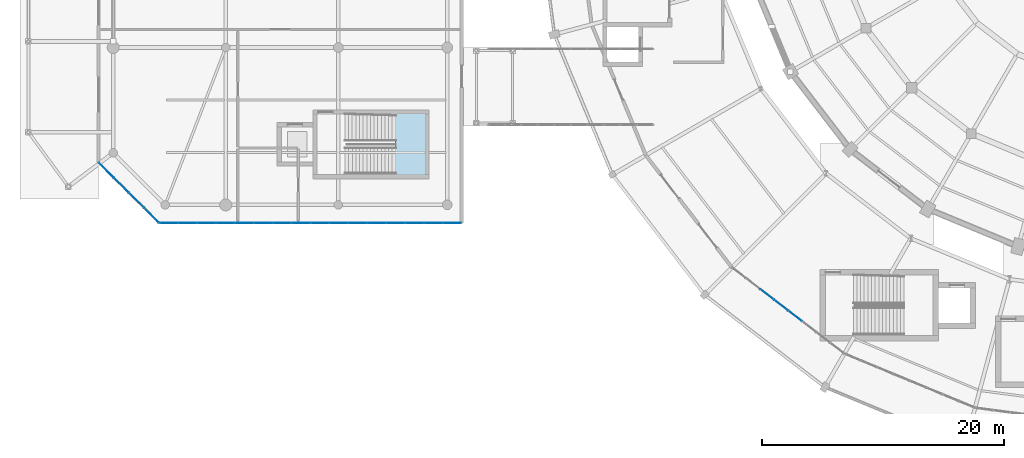
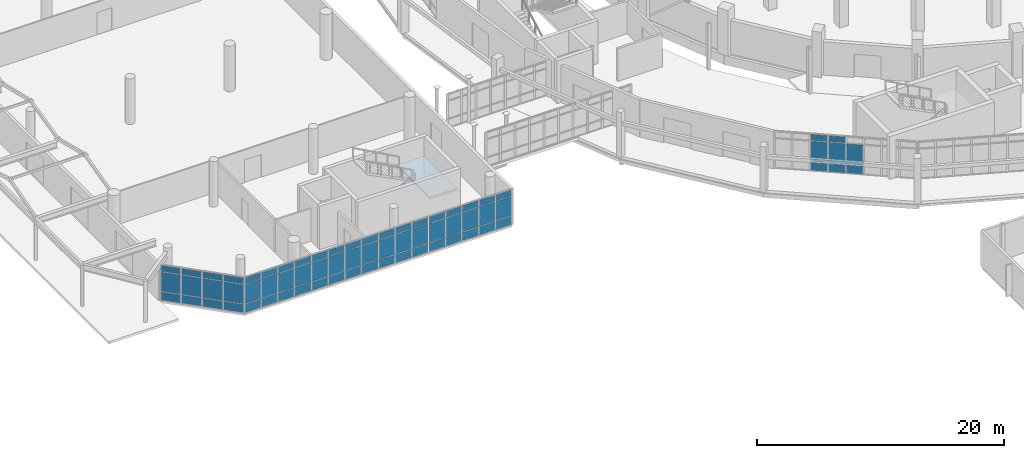
# One storey, part 78 of 122: 68 plates, 1 slab, 4 elements without a shape of their own.
"""IFC4 building model written with IfcOpenShell, lengths in metres."""

from ifc_helpers import new_model, si_unit, direction, frame, origin, origin_2d, place, context, subcontext, project, spatial, polyline, rectangle, outline, extrude, material, layer, layer_set, type_object, element, aggregate, save


model = new_model("IFC4")

# Units and contexts
model_context = context("Model", 3, precision=1e-05, world=origin(), true_north=direction((0.0, 1.0)))
body_context = subcontext(model_context, "Body", "Model", "MODEL_VIEW")
ifc_project = project(units=[si_unit("LENGTHUNIT", "METRE"), si_unit("AREAUNIT", "SQUARE_METRE"), si_unit("VOLUMEUNIT", "CUBIC_METRE"), si_unit("PLANEANGLEUNIT", "RADIAN"), si_unit("MASSUNIT", "GRAM", prefix="KILO")], contexts=[model_context])

# Site, building, storey
site_placement = place(None, origin())
site = spatial("IfcSite", under=ifc_project, at=site_placement, CompositionType="ELEMENT")
building_placement = place(site_placement, origin())
building = spatial("IfcBuilding", under=site, at=building_placement, Name="Sohan Crest Arena", CompositionType="ELEMENT")
storey_placement = place(building_placement, origin())
storey = spatial("IfcBuildingStorey", under=building, at=storey_placement, Name="L00", CompositionType="ELEMENT", Elevation=0.0)

# Curtain wall, plates
ifc_material_1 = material(Name="Thermally broken anodised aluminium", Category="aluminium")
ifc_layer_1 = layer(ifc_material_1, 0.179931640625, Name="Thermally broken anodised aluminium")
ifc_layer_set_1 = layer_set([ifc_layer_1], Name="Thermally broken anodised aluminium")
curtain_wall_type_1 = type_object("IfcCurtainWallType", Name="ARC-CW01", PredefinedType="NOTDEFINED", material=ifc_layer_set_1)
curtain_wall_1_placement = place(storey_placement, origin())
curtain_wall_1 = element("IfcCurtainWall", 1, at=curtain_wall_1_placement, inside=storey, type_object=curtain_wall_type_1, Name="Unitised curtain wall CW-005", PredefinedType="NOTDEFINED")
ifc_material_2 = material(Name="Low-E double-glazed insulated glass", Category="glass")
ifc_layer_2 = layer(ifc_material_2, 0.028076171875, Name="Low-E double-glazed insulated glass")
ifc_layer_set_2 = layer_set([ifc_layer_2], Name="Low-E double-glazed insulated glass")
plate_type = type_object("IfcPlateType", Name="ARC-CNP01", PredefinedType="CURTAIN_PANEL", material=ifc_layer_set_2)
plate_1_placement = place(storey_placement, frame((69.221435546875, 44.096923828125, 0.06005859375), z_axis=(0.0, 0.0, 1.0), x_axis=(0.79332277167, -0.608801264741, 0.0)))
plate_1 = element("IfcPlate", 2, at=plate_1_placement, type_object=plate_type, Name="CW-005 panel 3.1", PredefinedType="CURTAIN_PANEL", context=body_context, shape_type="SweptSolid", body=[
    extrude(rectangle(XDim=1.40185546875, YDim=0.028076171875, at=origin_2d()), origin(), (0.0, 0.0, 1.0), 0.81005859375),
])
plate_2_placement = place(storey_placement, frame((69.221435546875, 44.096923828125, 0.929931640625), z_axis=(0.0, 0.0, 1.0), x_axis=(0.79332277167, -0.608801264741, 0.0)))
plate_2 = element("IfcPlate", 3, at=plate_2_placement, type_object=plate_type, Name="CW-005 panel 3.2", PredefinedType="CURTAIN_PANEL", context=body_context, shape_type="SweptSolid", body=[
    extrude(rectangle(XDim=1.40185546875, YDim=0.028076171875, at=origin_2d()), origin(), (0.0, 0.0, 1.0), 2.02001953125),
])
plate_3_placement = place(storey_placement, frame((69.221435546875, 44.096923828125, 3.009765625), z_axis=(0.0, 0.0, 1.0), x_axis=(0.79332277167, -0.608801264741, 0.0)))
plate_3 = element("IfcPlate", 4, at=plate_3_placement, type_object=plate_type, Name="CW-005 panel 3.3", PredefinedType="CURTAIN_PANEL", context=body_context, shape_type="SweptSolid", body=[
    extrude(rectangle(XDim=1.40185546875, YDim=0.028076171875, at=origin_2d()), origin(), (0.0, 0.0, 1.0), 0.610107421875),
])
plate_4_placement = place(storey_placement, frame((70.381103515625, 43.20703125, 0.06005859375), z_axis=(0.0, 0.0, 1.0), x_axis=(0.79332277167, -0.608801264741, 0.0)))
plate_4 = element("IfcPlate", 5, at=plate_4_placement, type_object=plate_type, Name="CW-005 panel 4.1", PredefinedType="CURTAIN_PANEL", context=body_context, shape_type="SweptSolid", body=[
    extrude(rectangle(XDim=1.40185546875, YDim=0.028076171875, at=origin_2d()), origin(), (0.0, 0.0, 1.0), 0.81005859375),
])
plate_5_placement = place(storey_placement, frame((70.381103515625, 43.20703125, 0.929931640625), z_axis=(0.0, 0.0, 1.0), x_axis=(0.79332277167, -0.608801264741, 0.0)))
plate_5 = element("IfcPlate", 6, at=plate_5_placement, type_object=plate_type, Name="CW-005 panel 4.2", PredefinedType="CURTAIN_PANEL", context=body_context, shape_type="SweptSolid", body=[
    extrude(rectangle(XDim=1.40185546875, YDim=0.028076171875, at=origin_2d()), origin(), (0.0, 0.0, 1.0), 2.02001953125),
])
plate_6_placement = place(storey_placement, frame((70.381103515625, 43.20703125, 3.009765625), z_axis=(0.0, 0.0, 1.0), x_axis=(0.79332277167, -0.608801264741, 0.0)))
plate_6 = element("IfcPlate", 7, at=plate_6_placement, type_object=plate_type, Name="CW-005 panel 4.3", PredefinedType="CURTAIN_PANEL", context=body_context, shape_type="SweptSolid", body=[
    extrude(rectangle(XDim=1.40185546875, YDim=0.028076171875, at=origin_2d()), origin(), (0.0, 0.0, 1.0), 0.610107421875),
])
plate_7_placement = place(storey_placement, frame((71.540771484375, 42.31689453125, 0.06005859375), z_axis=(0.0, 0.0, 1.0), x_axis=(0.79332277167, -0.608801264741, 0.0)))
plate_7 = element("IfcPlate", 8, at=plate_7_placement, type_object=plate_type, Name="CW-005 panel 5.1", PredefinedType="CURTAIN_PANEL", context=body_context, shape_type="SweptSolid", body=[
    extrude(rectangle(XDim=1.40185546875, YDim=0.028076171875, at=origin_2d()), origin(), (0.0, 0.0, 1.0), 0.81005859375),
])
plate_8_placement = place(storey_placement, frame((71.540771484375, 42.31689453125, 0.929931640625), z_axis=(0.0, 0.0, 1.0), x_axis=(0.79332277167, -0.608801264741, 0.0)))
plate_8 = element("IfcPlate", 9, at=plate_8_placement, type_object=plate_type, Name="CW-005 panel 5.2", PredefinedType="CURTAIN_PANEL", context=body_context, shape_type="SweptSolid", body=[
    extrude(rectangle(XDim=1.40185546875, YDim=0.028076171875, at=origin_2d()), origin(), (0.0, 0.0, 1.0), 2.02001953125),
])
aggregate(curtain_wall_1, [plate_1, plate_2, plate_3, plate_4, plate_5, plate_6, plate_7, plate_8])

ifc_layer_3 = layer(ifc_material_1, 0.199951171875, Name="Thermally broken anodised aluminium")
ifc_layer_set_3 = layer_set([ifc_layer_3], Name="Thermally broken anodised aluminium")
curtain_wall_type_2 = type_object("IfcCurtainWallType", Name="ARC-CW02", PredefinedType="NOTDEFINED", material=ifc_layer_set_3)
curtain_wall_2_placement = place(storey_placement, origin())
curtain_wall_2 = element("IfcCurtainWall", 10, at=curtain_wall_2_placement, inside=storey, type_object=curtain_wall_type_2, Name="Unitised curtain wall CW-202", PredefinedType="NOTDEFINED")
plate_9_placement = place(storey_placement, frame((19.797607421875, 50.0, 0.06005859375), z_axis=(0.0, 0.0, 1.0), x_axis=(1.0, 0.0, 0.0)))
plate_9 = element("IfcPlate", 11, at=plate_9_placement, type_object=plate_type, Name="CW-202 panel 1.1", PredefinedType="CURTAIN_PANEL", context=body_context, shape_type="SweptSolid", body=[
    extrude(rectangle(XDim=1.465087890625, YDim=0.028076171875, at=origin_2d()), origin(), (0.0, 0.0, 1.0), 0.81005859375),
])
plate_10_placement = place(storey_placement, frame((19.797607421875, 50.0, 0.93017578125), z_axis=(0.0, 0.0, 1.0), x_axis=(1.0, 0.0, 0.0)))
plate_10 = element("IfcPlate", 12, at=plate_10_placement, type_object=plate_type, Name="CW-202 panel 1.2", PredefinedType="CURTAIN_PANEL", context=body_context, shape_type="SweptSolid", body=[
    extrude(rectangle(XDim=1.465087890625, YDim=0.028076171875, at=origin_2d()), origin(), (0.0, 0.0, 1.0), 1.889892578125),
])
plate_11_placement = place(storey_placement, frame((19.797607421875, 50.0, 2.8798828125), z_axis=(0.0, 0.0, 1.0), x_axis=(1.0, 0.0, 0.0)))
plate_11 = element("IfcPlate", 13, at=plate_11_placement, type_object=plate_type, Name="CW-202 panel 1.3", PredefinedType="CURTAIN_PANEL", context=body_context, shape_type="SweptSolid", body=[
    extrude(rectangle(XDim=1.465087890625, YDim=0.028076171875, at=origin_2d()), origin(), (0.0, 0.0, 1.0), 0.610107421875),
])
plate_12_placement = place(storey_placement, frame((21.34375, 50.0, 0.06005859375), z_axis=(0.0, 0.0, 1.0), x_axis=(1.0, 0.0, 0.0)))
plate_12 = element("IfcPlate", 14, at=plate_12_placement, type_object=plate_type, Name="CW-202 panel 2.1", PredefinedType="CURTAIN_PANEL", context=body_context, shape_type="SweptSolid", body=[
    extrude(rectangle(XDim=1.49755859375, YDim=0.028076171875, at=origin_2d()), origin(), (0.0, 0.0, 1.0), 0.81005859375),
])
plate_13_placement = place(storey_placement, frame((21.34375, 50.0, 0.93017578125), z_axis=(0.0, 0.0, 1.0), x_axis=(1.0, 0.0, 0.0)))
plate_13 = element("IfcPlate", 15, at=plate_13_placement, type_object=plate_type, Name="CW-202 panel 2.2", PredefinedType="CURTAIN_PANEL", context=body_context, shape_type="SweptSolid", body=[
    extrude(rectangle(XDim=1.49755859375, YDim=0.028076171875, at=origin_2d()), origin(), (0.0, 0.0, 1.0), 1.889892578125),
])
plate_14_placement = place(storey_placement, frame((21.34375, 50.0, 2.8798828125), z_axis=(0.0, 0.0, 1.0), x_axis=(1.0, 0.0, 0.0)))
plate_14 = element("IfcPlate", 16, at=plate_14_placement, type_object=plate_type, Name="CW-202 panel 2.3", PredefinedType="CURTAIN_PANEL", context=body_context, shape_type="SweptSolid", body=[
    extrude(rectangle(XDim=1.49755859375, YDim=0.028076171875, at=origin_2d()), origin(), (0.0, 0.0, 1.0), 0.610107421875),
])
plate_15_placement = place(storey_placement, frame((22.90625, 50.0, 0.06005859375), z_axis=(0.0, 0.0, 1.0), x_axis=(1.0, 0.0, 0.0)))
plate_15 = element("IfcPlate", 17, at=plate_15_placement, type_object=plate_type, Name="CW-202 panel 3.1", PredefinedType="CURTAIN_PANEL", context=body_context, shape_type="SweptSolid", body=[
    extrude(rectangle(XDim=1.49755859375, YDim=0.028076171875, at=origin_2d()), origin(), (0.0, 0.0, 1.0), 0.81005859375),
])
plate_16_placement = place(storey_placement, frame((22.90625, 50.0, 0.93017578125), z_axis=(0.0, 0.0, 1.0), x_axis=(1.0, 0.0, 0.0)))
plate_16 = element("IfcPlate", 18, at=plate_16_placement, type_object=plate_type, Name="CW-202 panel 3.2", PredefinedType="CURTAIN_PANEL", context=body_context, shape_type="SweptSolid", body=[
    extrude(rectangle(XDim=1.49755859375, YDim=0.028076171875, at=origin_2d()), origin(), (0.0, 0.0, 1.0), 1.889892578125),
])
plate_17_placement = place(storey_placement, frame((22.90625, 50.0, 2.8798828125), z_axis=(0.0, 0.0, 1.0), x_axis=(1.0, 0.0, 0.0)))
plate_17 = element("IfcPlate", 19, at=plate_17_placement, type_object=plate_type, Name="CW-202 panel 3.3", PredefinedType="CURTAIN_PANEL", context=body_context, shape_type="SweptSolid", body=[
    extrude(rectangle(XDim=1.49755859375, YDim=0.028076171875, at=origin_2d()), origin(), (0.0, 0.0, 1.0), 0.610107421875),
])
plate_18_placement = place(storey_placement, frame((24.46875, 50.0, 0.06005859375), z_axis=(0.0, 0.0, 1.0), x_axis=(1.0, 0.0, 0.0)))
plate_18 = element("IfcPlate", 20, at=plate_18_placement, type_object=plate_type, Name="CW-202 panel 4.1", PredefinedType="CURTAIN_PANEL", context=body_context, shape_type="SweptSolid", body=[
    extrude(rectangle(XDim=1.49755859375, YDim=0.028076171875, at=origin_2d()), origin(), (0.0, 0.0, 1.0), 0.81005859375),
])
plate_19_placement = place(storey_placement, frame((24.46875, 50.0, 0.93017578125), z_axis=(0.0, 0.0, 1.0), x_axis=(1.0, 0.0, 0.0)))
plate_19 = element("IfcPlate", 21, at=plate_19_placement, type_object=plate_type, Name="CW-202 panel 4.2", PredefinedType="CURTAIN_PANEL", context=body_context, shape_type="SweptSolid", body=[
    extrude(rectangle(XDim=1.49755859375, YDim=0.028076171875, at=origin_2d()), origin(), (0.0, 0.0, 1.0), 1.889892578125),
])
plate_20_placement = place(storey_placement, frame((24.46875, 50.0, 2.8798828125), z_axis=(0.0, 0.0, 1.0), x_axis=(1.0, 0.0, 0.0)))
plate_20 = element("IfcPlate", 22, at=plate_20_placement, type_object=plate_type, Name="CW-202 panel 4.3", PredefinedType="CURTAIN_PANEL", context=body_context, shape_type="SweptSolid", body=[
    extrude(rectangle(XDim=1.49755859375, YDim=0.028076171875, at=origin_2d()), origin(), (0.0, 0.0, 1.0), 0.610107421875),
])
plate_21_placement = place(storey_placement, frame((26.03125, 50.0, 0.06005859375), z_axis=(0.0, 0.0, 1.0), x_axis=(1.0, 0.0, 0.0)))
plate_21 = element("IfcPlate", 23, at=plate_21_placement, type_object=plate_type, Name="CW-202 panel 5.1", PredefinedType="CURTAIN_PANEL", context=body_context, shape_type="SweptSolid", body=[
    extrude(rectangle(XDim=1.49755859375, YDim=0.028076171875, at=origin_2d()), origin(), (0.0, 0.0, 1.0), 0.81005859375),
])
plate_22_placement = place(storey_placement, frame((26.03125, 50.0, 0.93017578125), z_axis=(0.0, 0.0, 1.0), x_axis=(1.0, 0.0, 0.0)))
plate_22 = element("IfcPlate", 24, at=plate_22_placement, type_object=plate_type, Name="CW-202 panel 5.2", PredefinedType="CURTAIN_PANEL", context=body_context, shape_type="SweptSolid", body=[
    extrude(rectangle(XDim=1.49755859375, YDim=0.028076171875, at=origin_2d()), origin(), (0.0, 0.0, 1.0), 1.889892578125),
])
plate_23_placement = place(storey_placement, frame((26.03125, 50.0, 2.8798828125), z_axis=(0.0, 0.0, 1.0), x_axis=(1.0, 0.0, 0.0)))
plate_23 = element("IfcPlate", 25, at=plate_23_placement, type_object=plate_type, Name="CW-202 panel 5.3", PredefinedType="CURTAIN_PANEL", context=body_context, shape_type="SweptSolid", body=[
    extrude(rectangle(XDim=1.49755859375, YDim=0.028076171875, at=origin_2d()), origin(), (0.0, 0.0, 1.0), 0.610107421875),
])
plate_24_placement = place(storey_placement, frame((27.59375, 50.0, 0.06005859375), z_axis=(0.0, 0.0, 1.0), x_axis=(1.0, 0.0, 0.0)))
plate_24 = element("IfcPlate", 26, at=plate_24_placement, type_object=plate_type, Name="CW-202 panel 6.1", PredefinedType="CURTAIN_PANEL", context=body_context, shape_type="SweptSolid", body=[
    extrude(rectangle(XDim=1.49755859375, YDim=0.028076171875, at=origin_2d()), origin(), (0.0, 0.0, 1.0), 0.81005859375),
])
plate_25_placement = place(storey_placement, frame((27.59375, 50.0, 0.93017578125), z_axis=(0.0, 0.0, 1.0), x_axis=(1.0, 0.0, 0.0)))
plate_25 = element("IfcPlate", 27, at=plate_25_placement, type_object=plate_type, Name="CW-202 panel 6.2", PredefinedType="CURTAIN_PANEL", context=body_context, shape_type="SweptSolid", body=[
    extrude(rectangle(XDim=1.49755859375, YDim=0.028076171875, at=origin_2d()), origin(), (0.0, 0.0, 1.0), 1.889892578125),
])
plate_26_placement = place(storey_placement, frame((27.59375, 50.0, 2.8798828125), z_axis=(0.0, 0.0, 1.0), x_axis=(1.0, 0.0, 0.0)))
plate_26 = element("IfcPlate", 28, at=plate_26_placement, type_object=plate_type, Name="CW-202 panel 6.3", PredefinedType="CURTAIN_PANEL", context=body_context, shape_type="SweptSolid", body=[
    extrude(rectangle(XDim=1.49755859375, YDim=0.028076171875, at=origin_2d()), origin(), (0.0, 0.0, 1.0), 0.610107421875),
])
plate_27_placement = place(storey_placement, frame((29.15625, 50.0, 0.06005859375), z_axis=(0.0, 0.0, 1.0), x_axis=(1.0, 0.0, 0.0)))
plate_27 = element("IfcPlate", 29, at=plate_27_placement, type_object=plate_type, Name="CW-202 panel 7.1", PredefinedType="CURTAIN_PANEL", context=body_context, shape_type="SweptSolid", body=[
    extrude(rectangle(XDim=1.49755859375, YDim=0.028076171875, at=origin_2d()), origin(), (0.0, 0.0, 1.0), 0.81005859375),
])
plate_28_placement = place(storey_placement, frame((29.15625, 50.0, 0.93017578125), z_axis=(0.0, 0.0, 1.0), x_axis=(1.0, 0.0, 0.0)))
plate_28 = element("IfcPlate", 30, at=plate_28_placement, type_object=plate_type, Name="CW-202 panel 7.2", PredefinedType="CURTAIN_PANEL", context=body_context, shape_type="SweptSolid", body=[
    extrude(rectangle(XDim=1.49755859375, YDim=0.028076171875, at=origin_2d()), origin(), (0.0, 0.0, 1.0), 1.889892578125),
])
plate_29_placement = place(storey_placement, frame((29.15625, 50.0, 2.8798828125), z_axis=(0.0, 0.0, 1.0), x_axis=(1.0, 0.0, 0.0)))
plate_29 = element("IfcPlate", 31, at=plate_29_placement, type_object=plate_type, Name="CW-202 panel 7.3", PredefinedType="CURTAIN_PANEL", context=body_context, shape_type="SweptSolid", body=[
    extrude(rectangle(XDim=1.49755859375, YDim=0.028076171875, at=origin_2d()), origin(), (0.0, 0.0, 1.0), 0.610107421875),
])
plate_30_placement = place(storey_placement, frame((30.71875, 50.0, 0.06005859375), z_axis=(0.0, 0.0, 1.0), x_axis=(1.0, 0.0, 0.0)))
plate_30 = element("IfcPlate", 32, at=plate_30_placement, type_object=plate_type, Name="CW-202 panel 8.1", PredefinedType="CURTAIN_PANEL", context=body_context, shape_type="SweptSolid", body=[
    extrude(rectangle(XDim=1.49755859375, YDim=0.028076171875, at=origin_2d()), origin(), (0.0, 0.0, 1.0), 0.81005859375),
])
plate_31_placement = place(storey_placement, frame((30.71875, 50.0, 0.93017578125), z_axis=(0.0, 0.0, 1.0), x_axis=(1.0, 0.0, 0.0)))
plate_31 = element("IfcPlate", 33, at=plate_31_placement, type_object=plate_type, Name="CW-202 panel 8.2", PredefinedType="CURTAIN_PANEL", context=body_context, shape_type="SweptSolid", body=[
    extrude(rectangle(XDim=1.49755859375, YDim=0.028076171875, at=origin_2d()), origin(), (0.0, 0.0, 1.0), 1.889892578125),
])
plate_32_placement = place(storey_placement, frame((30.71875, 50.0, 2.8798828125), z_axis=(0.0, 0.0, 1.0), x_axis=(1.0, 0.0, 0.0)))
plate_32 = element("IfcPlate", 34, at=plate_32_placement, type_object=plate_type, Name="CW-202 panel 8.3", PredefinedType="CURTAIN_PANEL", context=body_context, shape_type="SweptSolid", body=[
    extrude(rectangle(XDim=1.49755859375, YDim=0.028076171875, at=origin_2d()), origin(), (0.0, 0.0, 1.0), 0.610107421875),
])
plate_33_placement = place(storey_placement, frame((32.28125, 50.0, 0.06005859375), z_axis=(0.0, 0.0, 1.0), x_axis=(1.0, 0.0, 0.0)))
plate_33 = element("IfcPlate", 35, at=plate_33_placement, type_object=plate_type, Name="CW-202 panel 9.1", PredefinedType="CURTAIN_PANEL", context=body_context, shape_type="SweptSolid", body=[
    extrude(rectangle(XDim=1.49755859375, YDim=0.028076171875, at=origin_2d()), origin(), (0.0, 0.0, 1.0), 0.81005859375),
])
plate_34_placement = place(storey_placement, frame((32.28125, 50.0, 0.93017578125), z_axis=(0.0, 0.0, 1.0), x_axis=(1.0, 0.0, 0.0)))
plate_34 = element("IfcPlate", 36, at=plate_34_placement, type_object=plate_type, Name="CW-202 panel 9.2", PredefinedType="CURTAIN_PANEL", context=body_context, shape_type="SweptSolid", body=[
    extrude(rectangle(XDim=1.49755859375, YDim=0.028076171875, at=origin_2d()), origin(), (0.0, 0.0, 1.0), 1.889892578125),
])
plate_35_placement = place(storey_placement, frame((32.28125, 50.0, 2.8798828125), z_axis=(0.0, 0.0, 1.0), x_axis=(1.0, 0.0, 0.0)))
plate_35 = element("IfcPlate", 37, at=plate_35_placement, type_object=plate_type, Name="CW-202 panel 9.3", PredefinedType="CURTAIN_PANEL", context=body_context, shape_type="SweptSolid", body=[
    extrude(rectangle(XDim=1.49755859375, YDim=0.028076171875, at=origin_2d()), origin(), (0.0, 0.0, 1.0), 0.610107421875),
])
plate_36_placement = place(storey_placement, frame((33.84375, 50.0, 0.06005859375), z_axis=(0.0, 0.0, 1.0), x_axis=(1.0, 0.0, 0.0)))
plate_36 = element("IfcPlate", 38, at=plate_36_placement, type_object=plate_type, Name="CW-202 panel 10.1", PredefinedType="CURTAIN_PANEL", context=body_context, shape_type="SweptSolid", body=[
    extrude(rectangle(XDim=1.49755859375, YDim=0.028076171875, at=origin_2d()), origin(), (0.0, 0.0, 1.0), 0.81005859375),
])
plate_37_placement = place(storey_placement, frame((33.84375, 50.0, 0.93017578125), z_axis=(0.0, 0.0, 1.0), x_axis=(1.0, 0.0, 0.0)))
plate_37 = element("IfcPlate", 39, at=plate_37_placement, type_object=plate_type, Name="CW-202 panel 10.2", PredefinedType="CURTAIN_PANEL", context=body_context, shape_type="SweptSolid", body=[
    extrude(rectangle(XDim=1.49755859375, YDim=0.028076171875, at=origin_2d()), origin(), (0.0, 0.0, 1.0), 1.889892578125),
])
plate_38_placement = place(storey_placement, frame((33.84375, 50.0, 2.8798828125), z_axis=(0.0, 0.0, 1.0), x_axis=(1.0, 0.0, 0.0)))
plate_38 = element("IfcPlate", 40, at=plate_38_placement, type_object=plate_type, Name="CW-202 panel 10.3", PredefinedType="CURTAIN_PANEL", context=body_context, shape_type="SweptSolid", body=[
    extrude(rectangle(XDim=1.49755859375, YDim=0.028076171875, at=origin_2d()), origin(), (0.0, 0.0, 1.0), 0.610107421875),
])
plate_39_placement = place(storey_placement, frame((35.40625, 50.0, 0.06005859375), z_axis=(0.0, 0.0, 1.0), x_axis=(1.0, 0.0, 0.0)))
plate_39 = element("IfcPlate", 41, at=plate_39_placement, type_object=plate_type, Name="CW-202 panel 11.1", PredefinedType="CURTAIN_PANEL", context=body_context, shape_type="SweptSolid", body=[
    extrude(rectangle(XDim=1.49755859375, YDim=0.028076171875, at=origin_2d()), origin(), (0.0, 0.0, 1.0), 0.81005859375),
])
plate_40_placement = place(storey_placement, frame((35.40625, 50.0, 0.93017578125), z_axis=(0.0, 0.0, 1.0), x_axis=(1.0, 0.0, 0.0)))
plate_40 = element("IfcPlate", 42, at=plate_40_placement, type_object=plate_type, Name="CW-202 panel 11.2", PredefinedType="CURTAIN_PANEL", context=body_context, shape_type="SweptSolid", body=[
    extrude(rectangle(XDim=1.49755859375, YDim=0.028076171875, at=origin_2d()), origin(), (0.0, 0.0, 1.0), 1.889892578125),
])
plate_41_placement = place(storey_placement, frame((35.40625, 50.0, 2.8798828125), z_axis=(0.0, 0.0, 1.0), x_axis=(1.0, 0.0, 0.0)))
plate_41 = element("IfcPlate", 43, at=plate_41_placement, type_object=plate_type, Name="CW-202 panel 11.3", PredefinedType="CURTAIN_PANEL", context=body_context, shape_type="SweptSolid", body=[
    extrude(rectangle(XDim=1.49755859375, YDim=0.028076171875, at=origin_2d()), origin(), (0.0, 0.0, 1.0), 0.610107421875),
])
plate_42_placement = place(storey_placement, frame((36.96875, 50.0, 0.06005859375), z_axis=(0.0, 0.0, 1.0), x_axis=(1.0, 0.0, 0.0)))
plate_42 = element("IfcPlate", 44, at=plate_42_placement, type_object=plate_type, Name="CW-202 panel 12.1", PredefinedType="CURTAIN_PANEL", context=body_context, shape_type="SweptSolid", body=[
    extrude(rectangle(XDim=1.49755859375, YDim=0.028076171875, at=origin_2d()), origin(), (0.0, 0.0, 1.0), 0.81005859375),
])
plate_43_placement = place(storey_placement, frame((36.96875, 50.0, 0.93017578125), z_axis=(0.0, 0.0, 1.0), x_axis=(1.0, 0.0, 0.0)))
plate_43 = element("IfcPlate", 45, at=plate_43_placement, type_object=plate_type, Name="CW-202 panel 12.2", PredefinedType="CURTAIN_PANEL", context=body_context, shape_type="SweptSolid", body=[
    extrude(rectangle(XDim=1.49755859375, YDim=0.028076171875, at=origin_2d()), origin(), (0.0, 0.0, 1.0), 1.889892578125),
])
plate_44_placement = place(storey_placement, frame((36.96875, 50.0, 2.8798828125), z_axis=(0.0, 0.0, 1.0), x_axis=(1.0, 0.0, 0.0)))
plate_44 = element("IfcPlate", 46, at=plate_44_placement, type_object=plate_type, Name="CW-202 panel 12.3", PredefinedType="CURTAIN_PANEL", context=body_context, shape_type="SweptSolid", body=[
    extrude(rectangle(XDim=1.49755859375, YDim=0.028076171875, at=origin_2d()), origin(), (0.0, 0.0, 1.0), 0.610107421875),
])
plate_45_placement = place(storey_placement, frame((38.53125, 50.0, 0.06005859375), z_axis=(0.0, 0.0, 1.0), x_axis=(1.0, 0.0, 0.0)))
plate_45 = element("IfcPlate", 47, at=plate_45_placement, type_object=plate_type, Name="CW-202 panel 13.1", PredefinedType="CURTAIN_PANEL", context=body_context, shape_type="SweptSolid", body=[
    extrude(rectangle(XDim=1.49755859375, YDim=0.028076171875, at=origin_2d()), origin(), (0.0, 0.0, 1.0), 0.81005859375),
])
plate_46_placement = place(storey_placement, frame((38.53125, 50.0, 0.93017578125), z_axis=(0.0, 0.0, 1.0), x_axis=(1.0, 0.0, 0.0)))
plate_46 = element("IfcPlate", 48, at=plate_46_placement, type_object=plate_type, Name="CW-202 panel 13.2", PredefinedType="CURTAIN_PANEL", context=body_context, shape_type="SweptSolid", body=[
    extrude(rectangle(XDim=1.49755859375, YDim=0.028076171875, at=origin_2d()), origin(), (0.0, 0.0, 1.0), 1.889892578125),
])
plate_47_placement = place(storey_placement, frame((38.53125, 50.0, 2.8798828125), z_axis=(0.0, 0.0, 1.0), x_axis=(1.0, 0.0, 0.0)))
plate_47 = element("IfcPlate", 49, at=plate_47_placement, type_object=plate_type, Name="CW-202 panel 13.3", PredefinedType="CURTAIN_PANEL", context=body_context, shape_type="SweptSolid", body=[
    extrude(rectangle(XDim=1.49755859375, YDim=0.028076171875, at=origin_2d()), origin(), (0.0, 0.0, 1.0), 0.610107421875),
])
plate_48_placement = place(storey_placement, frame((40.09375, 50.0, 0.06005859375), z_axis=(0.0, 0.0, 1.0), x_axis=(1.0, 0.0, 0.0)))
plate_48 = element("IfcPlate", 50, at=plate_48_placement, type_object=plate_type, Name="CW-202 panel 14.1", PredefinedType="CURTAIN_PANEL", context=body_context, shape_type="SweptSolid", body=[
    extrude(rectangle(XDim=1.49755859375, YDim=0.028076171875, at=origin_2d()), origin(), (0.0, 0.0, 1.0), 0.81005859375),
])
plate_49_placement = place(storey_placement, frame((40.09375, 50.0, 0.93017578125), z_axis=(0.0, 0.0, 1.0), x_axis=(1.0, 0.0, 0.0)))
plate_49 = element("IfcPlate", 51, at=plate_49_placement, type_object=plate_type, Name="CW-202 panel 14.2", PredefinedType="CURTAIN_PANEL", context=body_context, shape_type="SweptSolid", body=[
    extrude(rectangle(XDim=1.49755859375, YDim=0.028076171875, at=origin_2d()), origin(), (0.0, 0.0, 1.0), 1.889892578125),
])
plate_50_placement = place(storey_placement, frame((40.09375, 50.0, 2.8798828125), z_axis=(0.0, 0.0, 1.0), x_axis=(1.0, 0.0, 0.0)))
plate_50 = element("IfcPlate", 52, at=plate_50_placement, type_object=plate_type, Name="CW-202 panel 14.3", PredefinedType="CURTAIN_PANEL", context=body_context, shape_type="SweptSolid", body=[
    extrude(rectangle(XDim=1.49755859375, YDim=0.028076171875, at=origin_2d()), origin(), (0.0, 0.0, 1.0), 0.610107421875),
])
plate_51_placement = place(storey_placement, frame((41.65625, 50.0, 0.06005859375), z_axis=(0.0, 0.0, 1.0), x_axis=(1.0, 0.0, 0.0)))
plate_51 = element("IfcPlate", 53, at=plate_51_placement, type_object=plate_type, Name="CW-202 panel 15.1", PredefinedType="CURTAIN_PANEL", context=body_context, shape_type="SweptSolid", body=[
    extrude(rectangle(XDim=1.49755859375, YDim=0.028076171875, at=origin_2d()), origin(), (0.0, 0.0, 1.0), 0.81005859375),
])
plate_52_placement = place(storey_placement, frame((41.65625, 50.0, 0.93017578125), z_axis=(0.0, 0.0, 1.0), x_axis=(1.0, 0.0, 0.0)))
plate_52 = element("IfcPlate", 54, at=plate_52_placement, type_object=plate_type, Name="CW-202 panel 15.2", PredefinedType="CURTAIN_PANEL", context=body_context, shape_type="SweptSolid", body=[
    extrude(rectangle(XDim=1.49755859375, YDim=0.028076171875, at=origin_2d()), origin(), (0.0, 0.0, 1.0), 1.889892578125),
])
plate_53_placement = place(storey_placement, frame((41.65625, 50.0, 2.8798828125), z_axis=(0.0, 0.0, 1.0), x_axis=(1.0, 0.0, 0.0)))
plate_53 = element("IfcPlate", 55, at=plate_53_placement, type_object=plate_type, Name="CW-202 panel 15.3", PredefinedType="CURTAIN_PANEL", context=body_context, shape_type="SweptSolid", body=[
    extrude(rectangle(XDim=1.49755859375, YDim=0.028076171875, at=origin_2d()), origin(), (0.0, 0.0, 1.0), 0.610107421875),
])
plate_54_placement = place(storey_placement, frame((43.202392578125, 50.0, 0.06005859375), z_axis=(0.0, 0.0, 1.0), x_axis=(1.0, 0.0, 0.0)))
plate_54 = element("IfcPlate", 56, at=plate_54_placement, type_object=plate_type, Name="CW-202 panel 16.1", PredefinedType="CURTAIN_PANEL", context=body_context, shape_type="SweptSolid", body=[
    extrude(rectangle(XDim=1.465087890625, YDim=0.028076171875, at=origin_2d()), origin(), (0.0, 0.0, 1.0), 0.81005859375),
])
plate_55_placement = place(storey_placement, frame((43.202392578125, 50.0, 0.93017578125), z_axis=(0.0, 0.0, 1.0), x_axis=(1.0, 0.0, 0.0)))
plate_55 = element("IfcPlate", 57, at=plate_55_placement, type_object=plate_type, Name="CW-202 panel 16.2", PredefinedType="CURTAIN_PANEL", context=body_context, shape_type="SweptSolid", body=[
    extrude(rectangle(XDim=1.465087890625, YDim=0.028076171875, at=origin_2d()), origin(), (0.0, 0.0, 1.0), 1.889892578125),
])
plate_56_placement = place(storey_placement, frame((43.202392578125, 50.0, 2.8798828125), z_axis=(0.0, 0.0, 1.0), x_axis=(1.0, 0.0, 0.0)))
plate_56 = element("IfcPlate", 58, at=plate_56_placement, type_object=plate_type, Name="CW-202 panel 16.3", PredefinedType="CURTAIN_PANEL", context=body_context, shape_type="SweptSolid", body=[
    extrude(rectangle(XDim=1.465087890625, YDim=0.028076171875, at=origin_2d()), origin(), (0.0, 0.0, 1.0), 0.610107421875),
])
aggregate(curtain_wall_2, [plate_9, plate_10, plate_11, plate_12, plate_13, plate_14, plate_15, plate_16, plate_17, plate_18, plate_19, plate_20, plate_21, plate_22, plate_23, plate_24, plate_25, plate_26, plate_27, plate_28, plate_29, plate_30, plate_31, plate_32, plate_33, plate_34, plate_35, plate_36, plate_37, plate_38, plate_39, plate_40, plate_41, plate_42, plate_43, plate_44, plate_45, plate_46, plate_47, plate_48, plate_49, plate_50, plate_51, plate_52, plate_53, plate_54, plate_55, plate_56])

curtain_wall_3_placement = place(storey_placement, origin())
curtain_wall_3 = element("IfcCurtainWall", 59, at=curtain_wall_3_placement, inside=storey, type_object=curtain_wall_type_2, Name="Unitised curtain wall CW-205", PredefinedType="NOTDEFINED")
plate_57_placement = place(storey_placement, frame((14.636474609375, 54.363525390625, 0.06005859375), z_axis=(0.0, 0.0, 1.0), x_axis=(0.707106781187, -0.707106781187, 0.0)))
plate_57 = element("IfcPlate", 60, at=plate_57_placement, type_object=plate_type, Name="CW-205 panel 1.1", PredefinedType="CURTAIN_PANEL", context=body_context, shape_type="SweptSolid", body=[
    extrude(rectangle(XDim=1.670166015625, YDim=0.028076171875, at=origin_2d()), origin(), (0.0, 0.0, 1.0), 0.81005859375),
])
plate_58_placement = place(storey_placement, frame((14.636474609375, 54.363525390625, 0.93017578125), z_axis=(0.0, 0.0, 1.0), x_axis=(0.707106781187, -0.707106781187, 0.0)))
plate_58 = element("IfcPlate", 61, at=plate_58_placement, type_object=plate_type, Name="CW-205 panel 1.2", PredefinedType="CURTAIN_PANEL", context=body_context, shape_type="SweptSolid", body=[
    extrude(rectangle(XDim=1.670166015625, YDim=0.028076171875, at=origin_2d()), origin(), (0.0, 0.0, 1.0), 1.889892578125),
])
plate_59_placement = place(storey_placement, frame((14.636474609375, 54.363525390625, 2.8798828125), z_axis=(0.0, 0.0, 1.0), x_axis=(0.707106781187, -0.707106781187, 0.0)))
plate_59 = element("IfcPlate", 62, at=plate_59_placement, type_object=plate_type, Name="CW-205 panel 1.3", PredefinedType="CURTAIN_PANEL", context=body_context, shape_type="SweptSolid", body=[
    extrude(rectangle(XDim=1.670166015625, YDim=0.028076171875, at=origin_2d()), origin(), (0.0, 0.0, 1.0), 0.610107421875),
])
plate_60_placement = place(storey_placement, frame((15.875, 53.125, 0.06005859375), z_axis=(0.0, 0.0, 1.0), x_axis=(0.707106781187, -0.707106781187, 0.0)))
plate_60 = element("IfcPlate", 63, at=plate_60_placement, type_object=plate_type, Name="CW-205 panel 2.1", PredefinedType="CURTAIN_PANEL", context=body_context, shape_type="SweptSolid", body=[
    extrude(rectangle(XDim=1.702880859375, YDim=0.028076171875, at=origin_2d()), origin(), (0.0, 0.0, 1.0), 0.81005859375),
])
plate_61_placement = place(storey_placement, frame((15.875, 53.125, 0.93017578125), z_axis=(0.0, 0.0, 1.0), x_axis=(0.707106781187, -0.707106781187, 0.0)))
plate_61 = element("IfcPlate", 64, at=plate_61_placement, type_object=plate_type, Name="CW-205 panel 2.2", PredefinedType="CURTAIN_PANEL", context=body_context, shape_type="SweptSolid", body=[
    extrude(rectangle(XDim=1.702880859375, YDim=0.028076171875, at=origin_2d()), origin(), (0.0, 0.0, 1.0), 1.889892578125),
])
plate_62_placement = place(storey_placement, frame((15.875, 53.125, 2.8798828125), z_axis=(0.0, 0.0, 1.0), x_axis=(0.707106781187, -0.707106781187, 0.0)))
plate_62 = element("IfcPlate", 65, at=plate_62_placement, type_object=plate_type, Name="CW-205 panel 2.3", PredefinedType="CURTAIN_PANEL", context=body_context, shape_type="SweptSolid", body=[
    extrude(rectangle(XDim=1.702880859375, YDim=0.028076171875, at=origin_2d()), origin(), (0.0, 0.0, 1.0), 0.610107421875),
])
plate_63_placement = place(storey_placement, frame((17.125, 51.875, 0.06005859375), z_axis=(0.0, 0.0, 1.0), x_axis=(0.707106781187, -0.707106781187, 0.0)))
plate_63 = element("IfcPlate", 66, at=plate_63_placement, type_object=plate_type, Name="CW-205 panel 3.1", PredefinedType="CURTAIN_PANEL", context=body_context, shape_type="SweptSolid", body=[
    extrude(rectangle(XDim=1.702880859375, YDim=0.028076171875, at=origin_2d()), origin(), (0.0, 0.0, 1.0), 0.81005859375),
])
plate_64_placement = place(storey_placement, frame((17.125, 51.875, 0.93017578125), z_axis=(0.0, 0.0, 1.0), x_axis=(0.707106781187, -0.707106781187, 0.0)))
plate_64 = element("IfcPlate", 67, at=plate_64_placement, type_object=plate_type, Name="CW-205 panel 3.2", PredefinedType="CURTAIN_PANEL", context=body_context, shape_type="SweptSolid", body=[
    extrude(rectangle(XDim=1.702880859375, YDim=0.028076171875, at=origin_2d()), origin(), (0.0, 0.0, 1.0), 1.889892578125),
])
plate_65_placement = place(storey_placement, frame((17.125, 51.875, 2.8798828125), z_axis=(0.0, 0.0, 1.0), x_axis=(0.707106781187, -0.707106781187, 0.0)))
plate_65 = element("IfcPlate", 68, at=plate_65_placement, type_object=plate_type, Name="CW-205 panel 3.3", PredefinedType="CURTAIN_PANEL", context=body_context, shape_type="SweptSolid", body=[
    extrude(rectangle(XDim=1.702880859375, YDim=0.028076171875, at=origin_2d()), origin(), (0.0, 0.0, 1.0), 0.610107421875),
])
plate_66_placement = place(storey_placement, frame((18.363525390625, 50.636474609375, 0.06005859375), z_axis=(0.0, 0.0, 1.0), x_axis=(0.707106781187, -0.707106781187, 0.0)))
plate_66 = element("IfcPlate", 69, at=plate_66_placement, type_object=plate_type, Name="CW-205 panel 4.1", PredefinedType="CURTAIN_PANEL", context=body_context, shape_type="SweptSolid", body=[
    extrude(rectangle(XDim=1.670166015625, YDim=0.028076171875, at=origin_2d()), origin(), (0.0, 0.0, 1.0), 0.81005859375),
])
plate_67_placement = place(storey_placement, frame((18.363525390625, 50.636474609375, 0.93017578125), z_axis=(0.0, 0.0, 1.0), x_axis=(0.707106781187, -0.707106781187, 0.0)))
plate_67 = element("IfcPlate", 70, at=plate_67_placement, type_object=plate_type, Name="CW-205 panel 4.2", PredefinedType="CURTAIN_PANEL", context=body_context, shape_type="SweptSolid", body=[
    extrude(rectangle(XDim=1.670166015625, YDim=0.028076171875, at=origin_2d()), origin(), (0.0, 0.0, 1.0), 1.889892578125),
])
plate_68_placement = place(storey_placement, frame((18.363525390625, 50.636474609375, 2.8798828125), z_axis=(0.0, 0.0, 1.0), x_axis=(0.707106781187, -0.707106781187, 0.0)))
plate_68 = element("IfcPlate", 71, at=plate_68_placement, type_object=plate_type, Name="CW-205 panel 4.3", PredefinedType="CURTAIN_PANEL", context=body_context, shape_type="SweptSolid", body=[
    extrude(rectangle(XDim=1.670166015625, YDim=0.028076171875, at=origin_2d()), origin(), (0.0, 0.0, 1.0), 0.610107421875),
])
aggregate(curtain_wall_3, [plate_57, plate_58, plate_59, plate_60, plate_61, plate_62, plate_63, plate_64, plate_65, plate_66, plate_67, plate_68])

# Stair, slab
ifc_material_3 = material(Name="Concrete C40/50", Category="concrete")
stair_type = type_object("IfcStairType", Name="ST-450W", PredefinedType="TWO_STRAIGHT_RUN_STAIR", material=ifc_material_3)
stair_placement = place(storey_placement, origin())
stair = element("IfcStair", 72, at=stair_placement, inside=storey, type_object=stair_type, Name="Protected exit stair ST13-L00", PredefinedType="TWO_STRAIGHT_RUN_STAIR")
ifc_layer_4 = layer(ifc_material_3, 0.199951171875, Name="Concrete C40/50")
ifc_layer_set_4 = layer_set([ifc_layer_4], Name="Concrete C40/50")
slab_type = type_object("IfcSlabType", Name="SL-LND1", PredefinedType="LANDING", material=ifc_layer_set_4)
slab_placement = place(storey_placement, frame((0.0, 0.0, 2.050048828125)))
slab = element("IfcSlab", 73, at=slab_placement, type_object=slab_type, Name="ST13-L00 landing 1", PredefinedType="LANDING", context=body_context, shape_type="SweptSolid", body=[
    extrude(outline(polyline([(38.530029296875, 53.85009765625), (41.10009765625, 53.85009765625), (41.10009765625, 59.14990234375), (38.530029296875, 59.14990234375), (38.530029296875, 53.85009765625)])), origin(), (0.0, 0.0, 1.0), 0.199951171875),
])
aggregate(stair, [slab])

save(model, "model.ifc")
